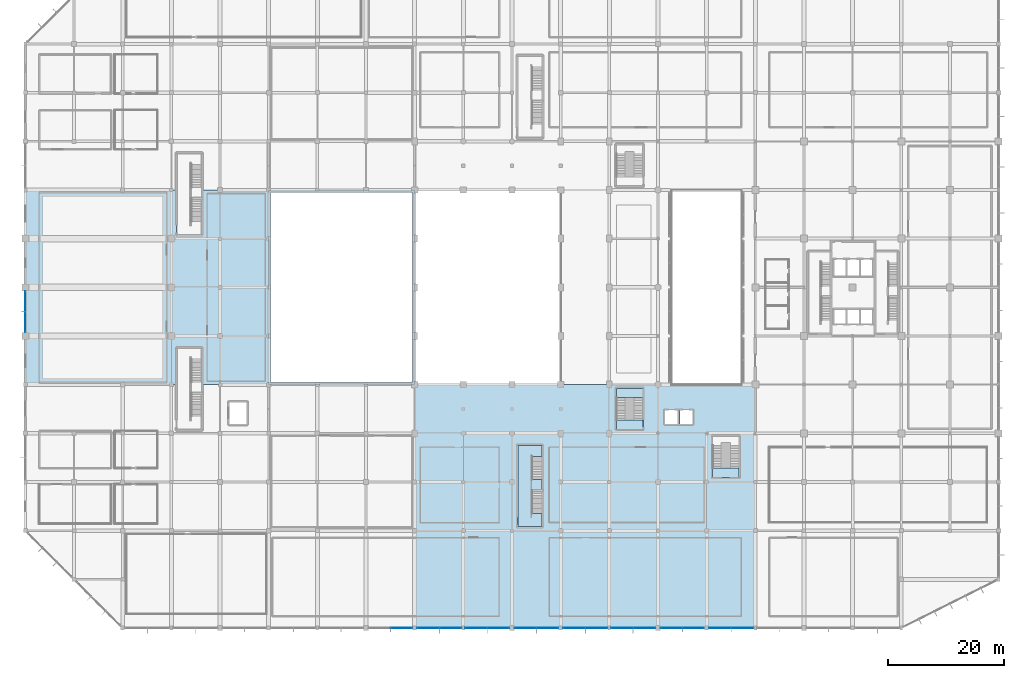
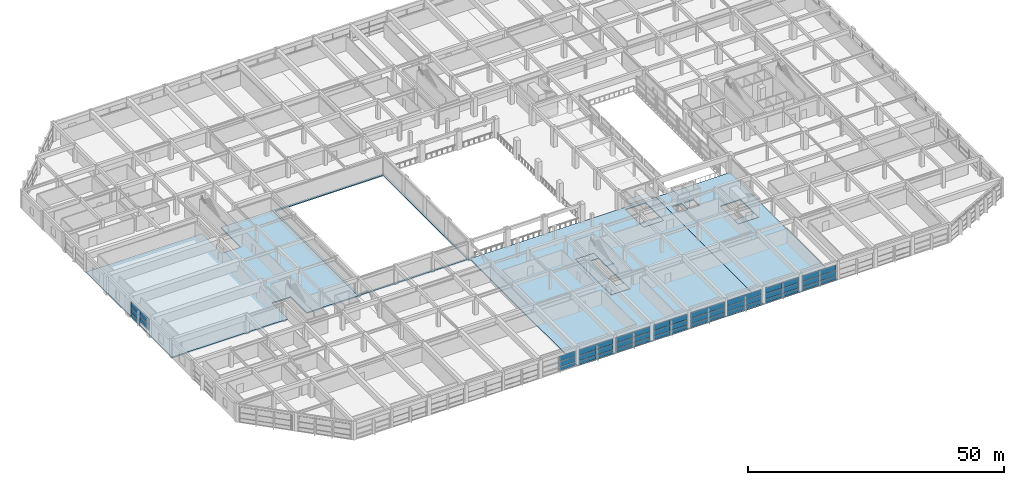
# One storey, part 44 of 65: 50 plates, 9 slabs, 12 elements without a shape of their own.
"""IFC4 building model written with IfcOpenShell, lengths in metres."""

from ifc_helpers import new_model, si_unit, direction, frame, origin, origin_2d, place, context, subcontext, project, spatial, polyline, rectangle, outline, extrude, material, layer, layer_set, type_object, element, aggregate, save


model = new_model("IFC4")

# Units and contexts
model_context = context("Model", 3, precision=1e-05, world=origin(), true_north=direction((0.0, 1.0)))
body_context = subcontext(model_context, "Body", "Model", "MODEL_VIEW")
ifc_project = project(units=[si_unit("LENGTHUNIT", "METRE"), si_unit("AREAUNIT", "SQUARE_METRE"), si_unit("VOLUMEUNIT", "CUBIC_METRE"), si_unit("PLANEANGLEUNIT", "RADIAN"), si_unit("MASSUNIT", "GRAM", prefix="KILO")], contexts=[model_context])

# Site, building, storey
site_placement = place(None, origin())
site = spatial("IfcSite", under=ifc_project, at=site_placement, CompositionType="ELEMENT")
building_placement = place(site_placement, origin())
building = spatial("IfcBuilding", under=site, at=building_placement, Name="Xuanlan Plaza Opera House", CompositionType="ELEMENT")
storey_placement = place(building_placement, frame((0.0, 0.0, 5.39990234375)))
storey = spatial("IfcBuildingStorey", under=building, at=storey_placement, Name="L01", CompositionType="ELEMENT", Elevation=5.39990234375)

# Curtain wall, plates
ifc_material_1 = material(Name="Anodised Aluminium 6063-T6 and Low-E Glass", Category="aluminium")
curtain_wall_type_1 = type_object("IfcCurtainWallType", Name="ENV-CW-CW-05", PredefinedType="USERDEFINED", material=ifc_material_1)
curtain_wall_1_placement = place(storey_placement, origin())
curtain_wall_1 = element("IfcCurtainWall", 1, at=curtain_wall_1_placement, inside=storey, type_object=curtain_wall_type_1, Name="Acoustic Glazed Wall L01-006", ObjectType="ACOUSTIC GLAZED WALL", PredefinedType="USERDEFINED")
ifc_material_2 = material(Name="Laminated Acoustic Double Glazing", Category="glass")
ifc_layer_1 = layer(ifc_material_2, 0.028076171875)
ifc_layer_set_1 = layer_set([ifc_layer_1], Name="Laminated Acoustic Double Glazing")
plate_type_1 = type_object("IfcPlateType", Name="ENV-CWP-01", PredefinedType="CURTAIN_PANEL", material=ifc_layer_set_1)
plate_1_placement = place(storey_placement, frame((64.907470703125, 0.0, 0.090087890625), z_axis=(0.0, 0.0, 1.0), x_axis=(1.0, 0.0, 0.0)))
plate_1 = element("IfcPlate", 2, at=plate_1_placement, type_object=plate_type_1, Name="CW-05 panel 2.1", PredefinedType="CURTAIN_PANEL", context=body_context, shape_type="SweptSolid", body=[
    extrude(rectangle(XDim=3.68505859375, YDim=0.028076171875, at=origin_2d()), origin(), (0.0, 0.0, 1.0), 0.81494140625),
])
plate_2_placement = place(storey_placement, frame((64.907470703125, 0.0, 0.9951171875), z_axis=(0.0, 0.0, 1.0), x_axis=(1.0, 0.0, 0.0)))
plate_2 = element("IfcPlate", 3, at=plate_2_placement, type_object=plate_type_1, Name="CW-05 panel 2.2", PredefinedType="CURTAIN_PANEL", context=body_context, shape_type="SweptSolid", body=[
    extrude(rectangle(XDim=3.68505859375, YDim=0.028076171875, at=origin_2d()), origin(), (0.0, 0.0, 1.0), 1.2099609375),
])
plate_3_placement = place(storey_placement, frame((64.907470703125, 0.0, 2.295166015625), z_axis=(0.0, 0.0, 1.0), x_axis=(1.0, 0.0, 0.0)))
plate_3 = element("IfcPlate", 4, at=plate_3_placement, type_object=plate_type_1, Name="CW-05 panel 2.3", PredefinedType="CURTAIN_PANEL", context=body_context, shape_type="SweptSolid", body=[
    extrude(rectangle(XDim=3.68505859375, YDim=0.028076171875, at=origin_2d()), origin(), (0.0, 0.0, 1.0), 1.294921875),
])
aggregate(curtain_wall_1, [plate_1, plate_2, plate_3])

curtain_wall_type_2 = type_object("IfcCurtainWallType", Name="ENV-CW-CW-06", PredefinedType="USERDEFINED", material=ifc_material_1)
curtain_wall_2_placement = place(storey_placement, origin())
curtain_wall_2 = element("IfcCurtainWall", 5, at=curtain_wall_2_placement, inside=storey, type_object=curtain_wall_type_2, Name="Acoustic Glazed Wall L01-011", ObjectType="ACOUSTIC GLAZED WALL", PredefinedType="USERDEFINED")
plate_4_placement = place(storey_placement, frame((102.998779296875, 0.0, 0.090087890625), z_axis=(0.0, 0.0, 1.0), x_axis=(1.0, 0.0, 0.0)))
plate_4 = element("IfcPlate", 6, at=plate_4_placement, type_object=plate_type_1, Name="CW-06 panel 1.1", PredefinedType="CURTAIN_PANEL", context=body_context, shape_type="SweptSolid", body=[
    extrude(rectangle(XDim=3.74755859375, YDim=0.028076171875, at=origin_2d()), origin(), (0.0, 0.0, 1.0), 0.81494140625),
])
plate_5_placement = place(storey_placement, frame((102.998779296875, 0.0, 0.9951171875), z_axis=(0.0, 0.0, 1.0), x_axis=(1.0, 0.0, 0.0)))
plate_5 = element("IfcPlate", 7, at=plate_5_placement, type_object=plate_type_1, Name="CW-06 panel 1.2", PredefinedType="CURTAIN_PANEL", context=body_context, shape_type="SweptSolid", body=[
    extrude(rectangle(XDim=3.74755859375, YDim=0.028076171875, at=origin_2d()), origin(), (0.0, 0.0, 1.0), 1.2099609375),
])
plate_6_placement = place(storey_placement, frame((102.998779296875, 0.0, 2.295166015625), z_axis=(0.0, 0.0, 1.0), x_axis=(1.0, 0.0, 0.0)))
plate_6 = element("IfcPlate", 8, at=plate_6_placement, type_object=plate_type_1, Name="CW-06 panel 1.3", PredefinedType="CURTAIN_PANEL", context=body_context, shape_type="SweptSolid", body=[
    extrude(rectangle(XDim=3.74755859375, YDim=0.028076171875, at=origin_2d()), origin(), (0.0, 0.0, 1.0), 1.294921875),
])
plate_7_placement = place(storey_placement, frame((106.826171875, 0.0, 0.090087890625), z_axis=(0.0, 0.0, 1.0), x_axis=(1.0, 0.0, 0.0)))
plate_7 = element("IfcPlate", 9, at=plate_7_placement, type_object=plate_type_1, Name="CW-06 panel 2.1", PredefinedType="CURTAIN_PANEL", context=body_context, shape_type="SweptSolid", body=[
    extrude(rectangle(XDim=3.74755859375, YDim=0.028076171875, at=origin_2d()), origin(), (0.0, 0.0, 1.0), 0.81494140625),
])
plate_8_placement = place(storey_placement, frame((106.826171875, 0.0, 0.9951171875), z_axis=(0.0, 0.0, 1.0), x_axis=(1.0, 0.0, 0.0)))
plate_8 = element("IfcPlate", 10, at=plate_8_placement, type_object=plate_type_1, Name="CW-06 panel 2.2", PredefinedType="CURTAIN_PANEL", context=body_context, shape_type="SweptSolid", body=[
    extrude(rectangle(XDim=3.74755859375, YDim=0.028076171875, at=origin_2d()), origin(), (0.0, 0.0, 1.0), 1.2099609375),
])
plate_9_placement = place(storey_placement, frame((106.826171875, 0.0, 2.295166015625), z_axis=(0.0, 0.0, 1.0), x_axis=(1.0, 0.0, 0.0)))
plate_9 = element("IfcPlate", 11, at=plate_9_placement, type_object=plate_type_1, Name="CW-06 panel 2.3", PredefinedType="CURTAIN_PANEL", context=body_context, shape_type="SweptSolid", body=[
    extrude(rectangle(XDim=3.74755859375, YDim=0.028076171875, at=origin_2d()), origin(), (0.0, 0.0, 1.0), 1.294921875),
])
aggregate(curtain_wall_2, [plate_4, plate_5, plate_6, plate_7, plate_8, plate_9])

curtain_wall_3_placement = place(storey_placement, origin())
curtain_wall_3 = element("IfcCurtainWall", 12, at=curtain_wall_3_placement, inside=storey, type_object=curtain_wall_type_1, Name="Acoustic Glazed Wall L01-008", ObjectType="ACOUSTIC GLAZED WALL", PredefinedType="USERDEFINED")
ifc_layer_2 = layer(ifc_material_2, 0.031982421875)
ifc_layer_set_2 = layer_set([ifc_layer_2], Name="Laminated Acoustic Double Glazing")
plate_type_2 = type_object("IfcPlateType", Name="ENV-CWP-02", PredefinedType="CURTAIN_PANEL", material=ifc_layer_set_2)
plate_10_placement = place(storey_placement, frame((77.813720703125, 0.0, 0.080078125), z_axis=(0.0, 0.0, 1.0), x_axis=(1.0, 0.0, 0.0)))
plate_10 = element("IfcPlate", 13, at=plate_10_placement, type_object=plate_type_2, Name="CW-05 panel 1.1", PredefinedType="CURTAIN_PANEL", context=body_context, shape_type="SweptSolid", body=[
    extrude(rectangle(XDim=3.757568359375, YDim=0.031982421875, at=origin_2d()), origin(), (0.0, 0.0, 1.0), 0.830078125),
])
plate_11_placement = place(storey_placement, frame((77.813720703125, 0.0, 0.990234375), z_axis=(0.0, 0.0, 1.0), x_axis=(1.0, 0.0, 0.0)))
plate_11 = element("IfcPlate", 14, at=plate_11_placement, type_object=plate_type_2, Name="CW-05 panel 1.2", PredefinedType="CURTAIN_PANEL", context=body_context, shape_type="SweptSolid", body=[
    extrude(rectangle(XDim=3.757568359375, YDim=0.031982421875, at=origin_2d()), origin(), (0.0, 0.0, 1.0), 1.219970703125),
])
plate_12_placement = place(storey_placement, frame((77.813720703125, 0.0, 2.2900390625), z_axis=(0.0, 0.0, 1.0), x_axis=(1.0, 0.0, 0.0)))
plate_12 = element("IfcPlate", 15, at=plate_12_placement, type_object=plate_type_2, Name="CW-05 panel 1.3", PredefinedType="CURTAIN_PANEL", context=body_context, shape_type="SweptSolid", body=[
    extrude(rectangle(XDim=3.757568359375, YDim=0.031982421875, at=origin_2d()), origin(), (0.0, 0.0, 1.0), 1.31005859375),
])
plate_13_placement = place(storey_placement, frame((81.63623046875, 0.0, 0.080078125), z_axis=(0.0, 0.0, 1.0), x_axis=(1.0, 0.0, 0.0)))
plate_13 = element("IfcPlate", 16, at=plate_13_placement, type_object=plate_type_2, Name="CW-05 panel 2.1", PredefinedType="CURTAIN_PANEL", context=body_context, shape_type="SweptSolid", body=[
    extrude(rectangle(XDim=3.757568359375, YDim=0.031982421875, at=origin_2d()), origin(), (0.0, 0.0, 1.0), 0.830078125),
])
plate_14_placement = place(storey_placement, frame((81.63623046875, 0.0, 0.990234375), z_axis=(0.0, 0.0, 1.0), x_axis=(1.0, 0.0, 0.0)))
plate_14 = element("IfcPlate", 17, at=plate_14_placement, type_object=plate_type_2, Name="CW-05 panel 2.2", PredefinedType="CURTAIN_PANEL", context=body_context, shape_type="SweptSolid", body=[
    extrude(rectangle(XDim=3.757568359375, YDim=0.031982421875, at=origin_2d()), origin(), (0.0, 0.0, 1.0), 1.219970703125),
])
plate_15_placement = place(storey_placement, frame((81.63623046875, 0.0, 2.2900390625), z_axis=(0.0, 0.0, 1.0), x_axis=(1.0, 0.0, 0.0)))
plate_15 = element("IfcPlate", 18, at=plate_15_placement, type_object=plate_type_2, Name="CW-05 panel 2.3", PredefinedType="CURTAIN_PANEL", context=body_context, shape_type="SweptSolid", body=[
    extrude(rectangle(XDim=3.757568359375, YDim=0.031982421875, at=origin_2d()), origin(), (0.0, 0.0, 1.0), 1.31005859375),
])
aggregate(curtain_wall_3, [plate_10, plate_11, plate_12, plate_13, plate_14, plate_15])

curtain_wall_4_placement = place(storey_placement, origin())
curtain_wall_4 = element("IfcCurtainWall", 19, at=curtain_wall_4_placement, inside=storey, type_object=curtain_wall_type_2, Name="Acoustic Glazed Wall L01-013", ObjectType="ACOUSTIC GLAZED WALL", PredefinedType="USERDEFINED")
plate_16_placement = place(storey_placement, frame((119.92626953125, 0.0, 0.080078125), z_axis=(0.0, 0.0, 1.0), x_axis=(1.0, 0.0, 0.0)))
plate_16 = element("IfcPlate", 20, at=plate_16_placement, type_object=plate_type_2, Name="CW-06 panel 1.1", PredefinedType="CURTAIN_PANEL", context=body_context, shape_type="SweptSolid", body=[
    extrude(rectangle(XDim=3.782470703125, YDim=0.031982421875, at=origin_2d()), origin(), (0.0, 0.0, 1.0), 0.830078125),
])
plate_17_placement = place(storey_placement, frame((119.92626953125, 0.0, 0.990234375), z_axis=(0.0, 0.0, 1.0), x_axis=(1.0, 0.0, 0.0)))
plate_17 = element("IfcPlate", 21, at=plate_17_placement, type_object=plate_type_2, Name="CW-06 panel 1.2", PredefinedType="CURTAIN_PANEL", context=body_context, shape_type="SweptSolid", body=[
    extrude(rectangle(XDim=3.782470703125, YDim=0.031982421875, at=origin_2d()), origin(), (0.0, 0.0, 1.0), 1.219970703125),
])
plate_18_placement = place(storey_placement, frame((119.92626953125, 0.0, 2.2900390625), z_axis=(0.0, 0.0, 1.0), x_axis=(1.0, 0.0, 0.0)))
plate_18 = element("IfcPlate", 22, at=plate_18_placement, type_object=plate_type_2, Name="CW-06 panel 1.3", PredefinedType="CURTAIN_PANEL", context=body_context, shape_type="SweptSolid", body=[
    extrude(rectangle(XDim=3.782470703125, YDim=0.031982421875, at=origin_2d()), origin(), (0.0, 0.0, 1.0), 1.31005859375),
])
plate_19_placement = place(storey_placement, frame((123.773681640625, 0.0, 0.080078125), z_axis=(0.0, 0.0, 1.0), x_axis=(1.0, 0.0, 0.0)))
plate_19 = element("IfcPlate", 23, at=plate_19_placement, type_object=plate_type_2, Name="CW-06 panel 2.1", PredefinedType="CURTAIN_PANEL", context=body_context, shape_type="SweptSolid", body=[
    extrude(rectangle(XDim=3.782470703125, YDim=0.031982421875, at=origin_2d()), origin(), (0.0, 0.0, 1.0), 0.830078125),
])
plate_20_placement = place(storey_placement, frame((123.773681640625, 0.0, 0.990234375), z_axis=(0.0, 0.0, 1.0), x_axis=(1.0, 0.0, 0.0)))
plate_20 = element("IfcPlate", 24, at=plate_20_placement, type_object=plate_type_2, Name="CW-06 panel 2.2", PredefinedType="CURTAIN_PANEL", context=body_context, shape_type="SweptSolid", body=[
    extrude(rectangle(XDim=3.782470703125, YDim=0.031982421875, at=origin_2d()), origin(), (0.0, 0.0, 1.0), 1.219970703125),
])
plate_21_placement = place(storey_placement, frame((123.773681640625, 0.0, 2.2900390625), z_axis=(0.0, 0.0, 1.0), x_axis=(1.0, 0.0, 0.0)))
plate_21 = element("IfcPlate", 25, at=plate_21_placement, type_object=plate_type_2, Name="CW-06 panel 2.3", PredefinedType="CURTAIN_PANEL", context=body_context, shape_type="SweptSolid", body=[
    extrude(rectangle(XDim=3.782470703125, YDim=0.031982421875, at=origin_2d()), origin(), (0.0, 0.0, 1.0), 1.31005859375),
])
aggregate(curtain_wall_4, [plate_16, plate_17, plate_18, plate_19, plate_20, plate_21])

curtain_wall_5_placement = place(storey_placement, origin())
curtain_wall_5 = element("IfcCurtainWall", 26, at=curtain_wall_5_placement, inside=storey, type_object=curtain_wall_type_1, Name="Acoustic Glazed Wall L01-010", ObjectType="ACOUSTIC GLAZED WALL", PredefinedType="USERDEFINED")
ifc_layer_3 = layer(ifc_material_2, 0.035888671875)
ifc_layer_set_3 = layer_set([ifc_layer_3], Name="Laminated Acoustic Double Glazing")
plate_type_3 = type_object("IfcPlateType", Name="ENV-CWP-03", PredefinedType="CURTAIN_PANEL", material=ifc_layer_set_3)
plate_22_placement = place(storey_placement, frame((94.735107421875, 0.0, 0.0751953125), z_axis=(0.0, 0.0, 1.0), x_axis=(1.0, 0.0, 0.0)))
plate_22 = element("IfcPlate", 27, at=plate_22_placement, type_object=plate_type_3, Name="CW-05 panel 1.1", PredefinedType="CURTAIN_PANEL", context=body_context, shape_type="SweptSolid", body=[
    extrude(rectangle(XDim=3.780029296875, YDim=0.035888671875, at=origin_2d()), origin(), (0.0, 0.0, 1.0), 0.83740234375),
])
plate_23_placement = place(storey_placement, frame((94.735107421875, 0.0, 0.987548828125), z_axis=(0.0, 0.0, 1.0), x_axis=(1.0, 0.0, 0.0)))
plate_23 = element("IfcPlate", 28, at=plate_23_placement, type_object=plate_type_3, Name="CW-05 panel 1.2", PredefinedType="CURTAIN_PANEL", context=body_context, shape_type="SweptSolid", body=[
    extrude(rectangle(XDim=3.780029296875, YDim=0.035888671875, at=origin_2d()), origin(), (0.0, 0.0, 1.0), 1.22509765625),
])
plate_24_placement = place(storey_placement, frame((94.735107421875, 0.0, 2.28759765625), z_axis=(0.0, 0.0, 1.0), x_axis=(1.0, 0.0, 0.0)))
plate_24 = element("IfcPlate", 29, at=plate_24_placement, type_object=plate_type_3, Name="CW-05 panel 1.3", PredefinedType="CURTAIN_PANEL", context=body_context, shape_type="SweptSolid", body=[
    extrude(rectangle(XDim=3.780029296875, YDim=0.035888671875, at=origin_2d()), origin(), (0.0, 0.0, 1.0), 1.3173828125),
])
plate_25_placement = place(storey_placement, frame((98.590087890625, 0.0, 0.0751953125), z_axis=(0.0, 0.0, 1.0), x_axis=(1.0, 0.0, 0.0)))
plate_25 = element("IfcPlate", 30, at=plate_25_placement, type_object=plate_type_3, Name="CW-05 panel 2.1", PredefinedType="CURTAIN_PANEL", context=body_context, shape_type="SweptSolid", body=[
    extrude(rectangle(XDim=3.780029296875, YDim=0.035888671875, at=origin_2d()), origin(), (0.0, 0.0, 1.0), 0.83740234375),
])
plate_26_placement = place(storey_placement, frame((98.590087890625, 0.0, 0.987548828125), z_axis=(0.0, 0.0, 1.0), x_axis=(1.0, 0.0, 0.0)))
plate_26 = element("IfcPlate", 31, at=plate_26_placement, type_object=plate_type_3, Name="CW-05 panel 2.2", PredefinedType="CURTAIN_PANEL", context=body_context, shape_type="SweptSolid", body=[
    extrude(rectangle(XDim=3.780029296875, YDim=0.035888671875, at=origin_2d()), origin(), (0.0, 0.0, 1.0), 1.22509765625),
])
plate_27_placement = place(storey_placement, frame((98.590087890625, 0.0, 2.28759765625), z_axis=(0.0, 0.0, 1.0), x_axis=(1.0, 0.0, 0.0)))
plate_27 = element("IfcPlate", 32, at=plate_27_placement, type_object=plate_type_3, Name="CW-05 panel 2.3", PredefinedType="CURTAIN_PANEL", context=body_context, shape_type="SweptSolid", body=[
    extrude(rectangle(XDim=3.780029296875, YDim=0.035888671875, at=origin_2d()), origin(), (0.0, 0.0, 1.0), 1.3173828125),
])
aggregate(curtain_wall_5, [plate_22, plate_23, plate_24, plate_25, plate_26, plate_27])

curtain_wall_6_placement = place(storey_placement, origin())
curtain_wall_6 = element("IfcCurtainWall", 33, at=curtain_wall_6_placement, inside=storey, type_object=curtain_wall_type_2, Name="Acoustic Glazed Wall L01-007", ObjectType="ACOUSTIC GLAZED WALL", PredefinedType="USERDEFINED")
ifc_layer_4 = layer(ifc_material_2, 0.0400390625)
ifc_layer_set_4 = layer_set([ifc_layer_4], Name="Laminated Acoustic Double Glazing")
plate_type_4 = type_object("IfcPlateType", Name="ENV-CWP-04", PredefinedType="CURTAIN_PANEL", material=ifc_layer_set_4)
plate_28_placement = place(storey_placement, frame((69.532470703125, 0.0, 0.0703125), z_axis=(0.0, 0.0, 1.0), x_axis=(1.0, 0.0, 0.0)))
plate_28 = element("IfcPlate", 34, at=plate_28_placement, type_object=plate_type_4, Name="CW-06 panel 1.1", PredefinedType="CURTAIN_PANEL", context=body_context, shape_type="SweptSolid", body=[
    extrude(rectangle(XDim=3.7451171875, YDim=0.0400390625, at=origin_2d()), origin(), (0.0, 0.0, 1.0), 0.844970703125),
])
plate_29_placement = place(storey_placement, frame((69.532470703125, 0.0, 0.985107421875), z_axis=(0.0, 0.0, 1.0), x_axis=(1.0, 0.0, 0.0)))
plate_29 = element("IfcPlate", 35, at=plate_29_placement, type_object=plate_type_4, Name="CW-06 panel 1.2", PredefinedType="CURTAIN_PANEL", context=body_context, shape_type="SweptSolid", body=[
    extrude(rectangle(XDim=3.7451171875, YDim=0.0400390625, at=origin_2d()), origin(), (0.0, 0.0, 1.0), 1.22998046875),
])
plate_30_placement = place(storey_placement, frame((69.532470703125, 0.0, 2.28515625), z_axis=(0.0, 0.0, 1.0), x_axis=(1.0, 0.0, 0.0)))
plate_30 = element("IfcPlate", 36, at=plate_30_placement, type_object=plate_type_4, Name="CW-06 panel 1.3", PredefinedType="CURTAIN_PANEL", context=body_context, shape_type="SweptSolid", body=[
    extrude(rectangle(XDim=3.7451171875, YDim=0.0400390625, at=origin_2d()), origin(), (0.0, 0.0, 1.0), 1.324951171875),
])
plate_31_placement = place(storey_placement, frame((73.367431640625, 0.0, 0.0703125), z_axis=(0.0, 0.0, 1.0), x_axis=(1.0, 0.0, 0.0)))
plate_31 = element("IfcPlate", 37, at=plate_31_placement, type_object=plate_type_4, Name="CW-06 panel 2.1", PredefinedType="CURTAIN_PANEL", context=body_context, shape_type="SweptSolid", body=[
    extrude(rectangle(XDim=3.7451171875, YDim=0.0400390625, at=origin_2d()), origin(), (0.0, 0.0, 1.0), 0.844970703125),
])
plate_32_placement = place(storey_placement, frame((73.367431640625, 0.0, 0.985107421875), z_axis=(0.0, 0.0, 1.0), x_axis=(1.0, 0.0, 0.0)))
plate_32 = element("IfcPlate", 38, at=plate_32_placement, type_object=plate_type_4, Name="CW-06 panel 2.2", PredefinedType="CURTAIN_PANEL", context=body_context, shape_type="SweptSolid", body=[
    extrude(rectangle(XDim=3.7451171875, YDim=0.0400390625, at=origin_2d()), origin(), (0.0, 0.0, 1.0), 1.22998046875),
])
plate_33_placement = place(storey_placement, frame((73.367431640625, 0.0, 2.28515625), z_axis=(0.0, 0.0, 1.0), x_axis=(1.0, 0.0, 0.0)))
plate_33 = element("IfcPlate", 39, at=plate_33_placement, type_object=plate_type_4, Name="CW-06 panel 2.3", PredefinedType="CURTAIN_PANEL", context=body_context, shape_type="SweptSolid", body=[
    extrude(rectangle(XDim=3.7451171875, YDim=0.0400390625, at=origin_2d()), origin(), (0.0, 0.0, 1.0), 1.324951171875),
])
aggregate(curtain_wall_6, [plate_28, plate_29, plate_30, plate_31, plate_32, plate_33])

curtain_wall_7_placement = place(storey_placement, origin())
curtain_wall_7 = element("IfcCurtainWall", 40, at=curtain_wall_7_placement, inside=storey, type_object=curtain_wall_type_1, Name="Acoustic Glazed Wall L01-012", ObjectType="ACOUSTIC GLAZED WALL", PredefinedType="USERDEFINED")
plate_34_placement = place(storey_placement, frame((111.544921875, 0.0, 0.0703125), z_axis=(0.0, 0.0, 1.0), x_axis=(1.0, 0.0, 0.0)))
plate_34 = element("IfcPlate", 41, at=plate_34_placement, type_object=plate_type_4, Name="CW-05 panel 1.1", PredefinedType="CURTAIN_PANEL", context=body_context, shape_type="SweptSolid", body=[
    extrude(rectangle(XDim=3.669921875, YDim=0.0400390625, at=origin_2d()), origin(), (0.0, 0.0, 1.0), 0.844970703125),
])
plate_35_placement = place(storey_placement, frame((111.544921875, 0.0, 0.985107421875), z_axis=(0.0, 0.0, 1.0), x_axis=(1.0, 0.0, 0.0)))
plate_35 = element("IfcPlate", 42, at=plate_35_placement, type_object=plate_type_4, Name="CW-05 panel 1.2", PredefinedType="CURTAIN_PANEL", context=body_context, shape_type="SweptSolid", body=[
    extrude(rectangle(XDim=3.669921875, YDim=0.0400390625, at=origin_2d()), origin(), (0.0, 0.0, 1.0), 1.22998046875),
])
plate_36_placement = place(storey_placement, frame((111.544921875, 0.0, 2.28515625), z_axis=(0.0, 0.0, 1.0), x_axis=(1.0, 0.0, 0.0)))
plate_36 = element("IfcPlate", 43, at=plate_36_placement, type_object=plate_type_4, Name="CW-05 panel 1.3", PredefinedType="CURTAIN_PANEL", context=body_context, shape_type="SweptSolid", body=[
    extrude(rectangle(XDim=3.669921875, YDim=0.0400390625, at=origin_2d()), origin(), (0.0, 0.0, 1.0), 1.324951171875),
])
plate_37_placement = place(storey_placement, frame((115.304931640625, 0.0, 0.0703125), z_axis=(0.0, 0.0, 1.0), x_axis=(1.0, 0.0, 0.0)))
plate_37 = element("IfcPlate", 44, at=plate_37_placement, type_object=plate_type_4, Name="CW-05 panel 2.1", PredefinedType="CURTAIN_PANEL", context=body_context, shape_type="SweptSolid", body=[
    extrude(rectangle(XDim=3.669921875, YDim=0.0400390625, at=origin_2d()), origin(), (0.0, 0.0, 1.0), 0.844970703125),
])
plate_38_placement = place(storey_placement, frame((115.304931640625, 0.0, 0.985107421875), z_axis=(0.0, 0.0, 1.0), x_axis=(1.0, 0.0, 0.0)))
plate_38 = element("IfcPlate", 45, at=plate_38_placement, type_object=plate_type_4, Name="CW-05 panel 2.2", PredefinedType="CURTAIN_PANEL", context=body_context, shape_type="SweptSolid", body=[
    extrude(rectangle(XDim=3.669921875, YDim=0.0400390625, at=origin_2d()), origin(), (0.0, 0.0, 1.0), 1.22998046875),
])
plate_39_placement = place(storey_placement, frame((115.304931640625, 0.0, 2.28515625), z_axis=(0.0, 0.0, 1.0), x_axis=(1.0, 0.0, 0.0)))
plate_39 = element("IfcPlate", 46, at=plate_39_placement, type_object=plate_type_4, Name="CW-05 panel 2.3", PredefinedType="CURTAIN_PANEL", context=body_context, shape_type="SweptSolid", body=[
    extrude(rectangle(XDim=3.669921875, YDim=0.0400390625, at=origin_2d()), origin(), (0.0, 0.0, 1.0), 1.324951171875),
])
aggregate(curtain_wall_7, [plate_34, plate_35, plate_36, plate_37, plate_38, plate_39])

curtain_wall_8_placement = place(storey_placement, origin())
curtain_wall_8 = element("IfcCurtainWall", 47, at=curtain_wall_8_placement, inside=storey, type_object=curtain_wall_type_2, Name="Acoustic Glazed Wall L01-009", ObjectType="ACOUSTIC GLAZED WALL", PredefinedType="USERDEFINED")
ifc_layer_5 = layer(ifc_material_2, 0.0439453125)
ifc_layer_set_5 = layer_set([ifc_layer_5], Name="Laminated Acoustic Double Glazing")
plate_type_5 = type_object("IfcPlateType", Name="ENV-CWP-05", PredefinedType="CURTAIN_PANEL", material=ifc_layer_set_5)
plate_40_placement = place(storey_placement, frame((86.340087890625, 0.0, 0.065185546875), z_axis=(0.0, 0.0, 1.0), x_axis=(1.0, 0.0, 0.0)))
plate_40 = element("IfcPlate", 48, at=plate_40_placement, type_object=plate_type_5, Name="CW-06 panel 1.1", PredefinedType="CURTAIN_PANEL", context=body_context, shape_type="SweptSolid", body=[
    extrude(rectangle(XDim=3.699951171875, YDim=0.0439453125, at=origin_2d()), origin(), (0.0, 0.0, 1.0), 0.8525390625),
])
plate_41_placement = place(storey_placement, frame((86.340087890625, 0.0, 0.982421875), z_axis=(0.0, 0.0, 1.0), x_axis=(1.0, 0.0, 0.0)))
plate_41 = element("IfcPlate", 49, at=plate_41_placement, type_object=plate_type_5, Name="CW-06 panel 1.2", PredefinedType="CURTAIN_PANEL", context=body_context, shape_type="SweptSolid", body=[
    extrude(rectangle(XDim=3.699951171875, YDim=0.0439453125, at=origin_2d()), origin(), (0.0, 0.0, 1.0), 1.235107421875),
])
plate_42_placement = place(storey_placement, frame((86.340087890625, 0.0, 2.282470703125), z_axis=(0.0, 0.0, 1.0), x_axis=(1.0, 0.0, 0.0)))
plate_42 = element("IfcPlate", 50, at=plate_42_placement, type_object=plate_type_5, Name="CW-06 panel 1.3", PredefinedType="CURTAIN_PANEL", context=body_context, shape_type="SweptSolid", body=[
    extrude(rectangle(XDim=3.699951171875, YDim=0.0439453125, at=origin_2d()), origin(), (0.0, 0.0, 1.0), 1.33251953125),
])
plate_43_placement = place(storey_placement, frame((90.110107421875, 0.0, 0.065185546875), z_axis=(0.0, 0.0, 1.0), x_axis=(1.0, 0.0, 0.0)))
plate_43 = element("IfcPlate", 51, at=plate_43_placement, type_object=plate_type_5, Name="CW-06 panel 2.1", PredefinedType="CURTAIN_PANEL", context=body_context, shape_type="SweptSolid", body=[
    extrude(rectangle(XDim=3.699951171875, YDim=0.0439453125, at=origin_2d()), origin(), (0.0, 0.0, 1.0), 0.8525390625),
])
plate_44_placement = place(storey_placement, frame((90.110107421875, 0.0, 0.982421875), z_axis=(0.0, 0.0, 1.0), x_axis=(1.0, 0.0, 0.0)))
plate_44 = element("IfcPlate", 52, at=plate_44_placement, type_object=plate_type_5, Name="CW-06 panel 2.2", PredefinedType="CURTAIN_PANEL", context=body_context, shape_type="SweptSolid", body=[
    extrude(rectangle(XDim=3.699951171875, YDim=0.0439453125, at=origin_2d()), origin(), (0.0, 0.0, 1.0), 1.235107421875),
])
plate_45_placement = place(storey_placement, frame((90.110107421875, 0.0, 2.282470703125), z_axis=(0.0, 0.0, 1.0), x_axis=(1.0, 0.0, 0.0)))
plate_45 = element("IfcPlate", 53, at=plate_45_placement, type_object=plate_type_5, Name="CW-06 panel 2.3", PredefinedType="CURTAIN_PANEL", context=body_context, shape_type="SweptSolid", body=[
    extrude(rectangle(XDim=3.699951171875, YDim=0.0439453125, at=origin_2d()), origin(), (0.0, 0.0, 1.0), 1.33251953125),
])
aggregate(curtain_wall_8, [plate_40, plate_41, plate_42, plate_43, plate_44, plate_45])

curtain_wall_type_3 = type_object("IfcCurtainWallType", Name="ENV-CW-CW-01", PredefinedType="USERDEFINED", material=ifc_material_1)
curtain_wall_9_placement = place(storey_placement, origin())
curtain_wall_9 = element("IfcCurtainWall", 54, at=curtain_wall_9_placement, inside=storey, type_object=curtain_wall_type_3, Name="Unitised Curtain Wall L01-054", ObjectType="UNITISED CURTAIN WALL", PredefinedType="USERDEFINED")
plate_46_placement = place(storey_placement, frame((0.0, 56.37255859375, 0.065185546875), z_axis=(0.0, 0.0, 1.0), x_axis=(0.0, -1.0, 0.0)))
plate_46 = element("IfcPlate", 55, at=plate_46_placement, type_object=plate_type_5, Name="CW-01 panel 1.1", PredefinedType="CURTAIN_PANEL", context=body_context, shape_type="SweptSolid", body=[
    extrude(rectangle(XDim=3.47509765625, YDim=0.0439453125, at=origin_2d()), origin(), (0.0, 0.0, 1.0), 0.8525390625),
])
plate_47_placement = place(storey_placement, frame((0.0, 56.37255859375, 0.982421875), z_axis=(0.0, 0.0, 1.0), x_axis=(0.0, -1.0, 0.0)))
plate_47 = element("IfcPlate", 56, at=plate_47_placement, type_object=plate_type_5, Name="CW-01 panel 1.2", PredefinedType="CURTAIN_PANEL", context=body_context, shape_type="SweptSolid", body=[
    extrude(rectangle(XDim=3.47509765625, YDim=0.0439453125, at=origin_2d()), origin(), (0.0, 0.0, 1.0), 1.235107421875),
])
plate_48_placement = place(storey_placement, frame((0.0, 56.37255859375, 2.282470703125), z_axis=(0.0, 0.0, 1.0), x_axis=(0.0, -1.0, 0.0)))
plate_48 = element("IfcPlate", 57, at=plate_48_placement, type_object=plate_type_5, Name="CW-01 panel 1.3", PredefinedType="CURTAIN_PANEL", context=body_context, shape_type="SweptSolid", body=[
    extrude(rectangle(XDim=3.47509765625, YDim=0.0439453125, at=origin_2d()), origin(), (0.0, 0.0, 1.0), 1.33251953125),
])
plate_49_placement = place(storey_placement, frame((0.0, 52.827392578125, 0.982421875), z_axis=(0.0, 0.0, 1.0), x_axis=(0.0, -1.0, 0.0)))
plate_49 = element("IfcPlate", 58, at=plate_49_placement, type_object=plate_type_5, Name="CW-01 panel 2.2", PredefinedType="CURTAIN_PANEL", context=body_context, shape_type="SweptSolid", body=[
    extrude(rectangle(XDim=3.47509765625, YDim=0.0439453125, at=origin_2d()), origin(), (0.0, 0.0, 1.0), 1.235107421875),
])
plate_50_placement = place(storey_placement, frame((0.0, 52.827392578125, 2.282470703125), z_axis=(0.0, 0.0, 1.0), x_axis=(0.0, -1.0, 0.0)))
plate_50 = element("IfcPlate", 59, at=plate_50_placement, type_object=plate_type_5, Name="CW-01 panel 2.3", PredefinedType="CURTAIN_PANEL", context=body_context, shape_type="SweptSolid", body=[
    extrude(rectangle(XDim=3.47509765625, YDim=0.0439453125, at=origin_2d()), origin(), (0.0, 0.0, 1.0), 1.33251953125),
])
aggregate(curtain_wall_9, [plate_46, plate_47, plate_48, plate_49, plate_50])

# Stair, slabs
ifc_material_3 = material(Name="Concrete C40", Category="concrete")
stair_type_1 = type_object("IfcStairType", Name="INT-ST-STR-F130", PredefinedType="HALF_TURN_STAIR", material=ifc_material_3)
stair_1_placement = place(storey_placement, origin())
stair_1 = element("IfcStair", 60, at=stair_1_placement, inside=storey, type_object=stair_type_1, Name="Grand Foyer Feature Stair ST-F1 L01", PredefinedType="HALF_TURN_STAIR")
ifc_layer_6 = layer(ifc_material_3, 0.18994140625)
ifc_layer_set_6 = layer_set([ifc_layer_6], Name="Concrete C40")
slab_type_1 = type_object("IfcSlabType", Name="INT-SLB-LND-19", PredefinedType="LANDING", material=ifc_layer_set_6)
slab_1_placement = place(storey_placement, frame((0.0, 0.0, 2.06005859375)))
slab_1 = element("IfcSlab", 61, at=slab_1_placement, type_object=slab_type_1, Name="ST-F1-L01 landing 1", PredefinedType="LANDING", context=body_context, shape_type="SweptSolid", body=[
    extrude(outline(polyline([(102.0, 39.77490234375), (106.60009765625, 39.77490234375), (106.60009765625, 41.3798828125), (102.0, 41.3798828125), (102.0, 39.77490234375)])), origin(), (0.0, 0.0, 1.0), 0.18994140625),
])
slab_2_placement = place(storey_placement, frame((0.0, 0.0, -0.18994140625)))
slab_2 = element("IfcSlab", 62, at=slab_2_placement, type_object=slab_type_1, Name="ST-F1-L01 landing 2", PredefinedType="LANDING", context=body_context, shape_type="SweptSolid", body=[
    extrude(outline(polyline([(102.0, 34.300048828125), (106.60009765625, 34.300048828125), (106.60009765625, 35.905029296875), (102.0, 35.905029296875), (102.0, 34.300048828125)])), origin(), (0.0, 0.0, 1.0), 0.18994140625),
])
aggregate(stair_1, [slab_1, slab_2])

# Stair, slab
stair_type_2 = type_object("IfcStairType", Name="INT-ST-STR-F135", PredefinedType="HALF_TURN_STAIR", material=ifc_material_3)
stair_2_placement = place(storey_placement, origin())
stair_2 = element("IfcStair", 63, at=stair_2_placement, inside=storey, type_object=stair_type_2, Name="Grand Foyer Feature Stair ST-F3 L01", PredefinedType="HALF_TURN_STAIR")
slab_3_placement = place(storey_placement, frame((0.0, 0.0, -0.18994140625)))
slab_3 = element("IfcSlab", 64, at=slab_3_placement, type_object=slab_type_1, Name="ST-F3-L01 landing 2", PredefinedType="LANDING", context=body_context, shape_type="SweptSolid", body=[
    extrude(outline(polyline([(118.60009765625, 26.0), (123.199951171875, 26.0), (123.199951171875, 27.60498046875), (118.60009765625, 27.60498046875), (118.60009765625, 26.0)])), origin(), (0.0, 0.0, 1.0), 0.18994140625),
])
aggregate(stair_2, [slab_3])

# Stair, slabs
stair_type_3 = type_object("IfcStairType", Name="INT-ST-STR-P180", PredefinedType="STRAIGHT_RUN_STAIR", material=ifc_material_3)
stair_3_placement = place(storey_placement, origin())
stair_3 = element("IfcStair", 65, at=stair_3_placement, inside=storey, type_object=stair_type_3, Name="Protected Exit Stair ST-P3 L01", PredefinedType="STRAIGHT_RUN_STAIR")
ifc_layer_7 = layer(ifc_material_3, 0.199951171875)
ifc_layer_set_7 = layer_set([ifc_layer_7], Name="Concrete C40")
slab_type_2 = type_object("IfcSlabType", Name="INT-SLB-LND-20", PredefinedType="LANDING", material=ifc_layer_set_7)
slab_4_placement = place(storey_placement, frame((0.0, 0.0, 2.050048828125)))
slab_4 = element("IfcSlab", 66, at=slab_4_placement, type_object=slab_type_2, Name="ST-P3-L01 landing 1", PredefinedType="LANDING", context=body_context, shape_type="SweptSolid", body=[
    extrude(outline(polyline([(87.39990234375, 23.735107421875), (89.199951171875, 23.735107421875), (89.199951171875, 25.635009765625), (87.39990234375, 25.635009765625), (87.39990234375, 23.735107421875)])), origin(), (0.0, 0.0, 1.0), 0.199951171875),
])
slab_5_placement = place(storey_placement, frame((0.0, 0.0, -0.199951171875)))
slab_5 = element("IfcSlab", 67, at=slab_5_placement, type_object=slab_type_2, Name="ST-P3-L01 landing 2", PredefinedType="LANDING", context=body_context, shape_type="SweptSolid", body=[
    extrude(outline(polyline([(85.0, 17.5), (89.199951171875, 17.5), (89.199951171875, 19.794921875), (87.39990234375, 19.794921875), (87.39990234375, 29.574951171875), (89.199951171875, 29.574951171875), (89.199951171875, 31.5), (85.0, 31.5), (85.0, 17.5)])), origin(), (0.0, 0.0, 1.0), 0.199951171875),
])
aggregate(stair_3, [slab_4, slab_5])

# Slabs
ifc_layer_8 = layer(ifc_material_3, 0.260009765625)
ifc_layer_set_8 = layer_set([ifc_layer_8], Name="Concrete C40")
slab_type_3 = type_object("IfcSlabType", Name="STR-SLB-SL-02", PredefinedType="FLOOR", material=ifc_layer_set_8)
slab_6_placement = place(storey_placement, frame((0.0, 0.0, -0.260009765625)))
element("IfcSlab", 68, at=slab_6_placement, inside=storey, type_object=slab_type_3, Name="Storey L01 Structural Floor Slab Zone 02", PredefinedType="FLOOR", context=body_context, shape_type="SweptSolid", body=[
    extrude(outline(polyline([(0.0, 75.60009765625), (26.199951171875, 75.60009765625), (26.199951171875, 67.89990234375), (30.39990234375, 67.89990234375), (30.39990234375, 75.60009765625), (42.0, 75.60009765625), (42.0, 42.0), (30.39990234375, 42.0), (30.39990234375, 48.300048828125), (26.199951171875, 48.300048828125), (26.199951171875, 42.0), (0.0, 42.0), (0.0, 75.60009765625)])), origin(), (0.0, 0.0, 1.0), 0.260009765625),
])
slab_7_placement = place(storey_placement, frame((0.0, 0.0, -0.260009765625)))
element("IfcSlab", 69, at=slab_7_placement, inside=storey, type_object=slab_type_3, Name="Storey L01 Structural Floor Slab Zone 05", PredefinedType="FLOOR", context=body_context, shape_type="SweptSolid", body=[
    extrude(outline(polyline([(67.199951171875, 42.0), (42.0, 42.0), (42.0, 75.60009765625), (67.199951171875, 75.60009765625), (67.199951171875, 42.0)]), holes=[polyline([(42.39990234375, 42.39990234375), (66.800048828125, 42.39990234375), (66.800048828125, 75.199951171875), (42.39990234375, 75.199951171875), (42.39990234375, 42.39990234375)])]), origin(), (0.0, 0.0, 1.0), 0.260009765625),
])
slab_8_placement = place(storey_placement, frame((0.0, 0.0, -0.260009765625)))
element("IfcSlab", 70, at=slab_8_placement, inside=storey, type_object=slab_type_3, Name="Storey L01 Structural Floor Slab Zone 07", PredefinedType="FLOOR", context=body_context, shape_type="SweptSolid", body=[
    extrude(outline(polyline([(67.199951171875, 0.0), (67.199951171875, 42.0), (92.39990234375, 42.0), (109.199951171875, 42.0), (109.199951171875, 0.0), (67.199951171875, 0.0)]), holes=[polyline([(89.199951171875, 31.5), (85.0, 31.5), (85.0, 17.5), (89.199951171875, 17.5), (89.199951171875, 31.5)]), polyline([(102.0, 34.300048828125), (106.60009765625, 34.300048828125), (106.60009765625, 41.3798828125), (102.0, 41.3798828125), (102.0, 34.300048828125)])]), origin(), (0.0, 0.0, 1.0), 0.260009765625),
])
slab_9_placement = place(storey_placement, frame((0.0, 0.0, -0.260009765625)))
element("IfcSlab", 71, at=slab_9_placement, inside=storey, type_object=slab_type_3, Name="Storey L01 Structural Floor Slab Zone 10", PredefinedType="FLOOR", context=body_context, shape_type="SweptSolid", body=[
    extrude(outline(polyline([(109.199951171875, 0.0), (109.199951171875, 42.0), (111.60009765625, 42.0), (123.60009765625, 42.0), (126.0, 42.0), (126.0, 0.0), (109.199951171875, 0.0)]), holes=[polyline([(123.199951171875, 33.080078125), (118.60009765625, 33.080078125), (118.60009765625, 26.0), (123.199951171875, 26.0), (123.199951171875, 33.080078125)]), polyline([(110.39990234375, 37.60009765625), (110.39990234375, 35.199951171875), (112.60009765625, 35.199951171875), (112.60009765625, 37.60009765625), (110.39990234375, 37.60009765625)]), polyline([(115.199951171875, 37.60009765625), (113.0, 37.60009765625), (113.0, 35.199951171875), (115.199951171875, 35.199951171875), (115.199951171875, 37.60009765625)])]), origin(), (0.0, 0.0, 1.0), 0.260009765625),
])

save(model, "model.ifc")
